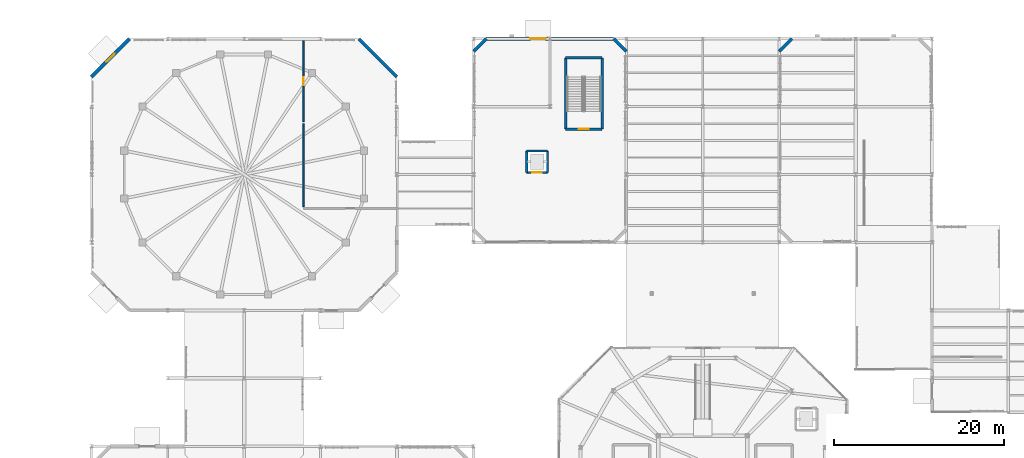
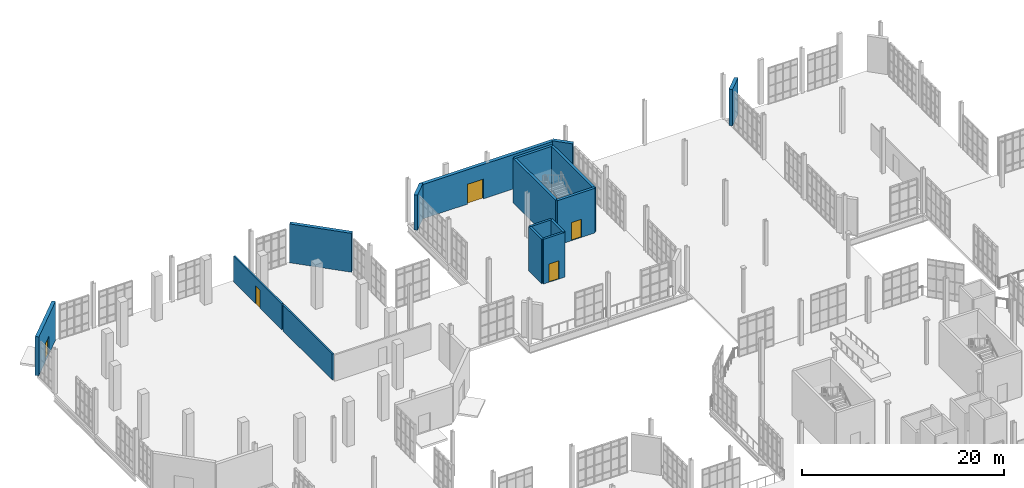
# One storey, part 175 of 189: 16 walls, 5 doors, 5 openings.
"""IFC4 building model written with IfcOpenShell, lengths in metres."""

import ifcopenshell
import ifcopenshell.guid

model = None  # the IFC model being written
_history = None  # IfcOwnerHistory: only IFC2X3 demands one
_inside = {}  # id of a spatial element -> (the spatial element, [elements in it])
_under = {}  # id of a project, library or spatial element -> (it, [spatial elements below it])
_declared = {}  # id of a project -> (the project, [libraries it declares])
_typed = {}  # id of a type object -> (the type object, [elements of that type])
_made_of = {}  # id of a material, layer set ... -> (it, [elements and type objects made of it])


def new_model(schema):
    """Start an empty IFC model of exactly this schema.

    Asked for "IFC4X3", IfcOpenShell would pick the latest addendum, in which some entities
    have other attributes; the version numbers below select the first issue.
    IFC2X3 requires an IfcOwnerHistory on every rooted entity: one is made here for all.
    """
    global model, _history
    if schema == "IFC4X3":
        model = ifcopenshell.file(schema_version=(4, 3, 0, 0))
    else:
        model = ifcopenshell.file(schema=schema)
    _inside.clear()
    _under.clear()
    _declared.clear()
    _typed.clear()
    _made_of.clear()
    _history = None
    if model.schema == "IFC2X3":
        org = make("IfcOrganization", Name="unknown")
        user = make(
            "IfcPersonAndOrganization",
            ThePerson=make("IfcPerson", FamilyName="unknown"),
            TheOrganization=org,
        )
        app = make(
            "IfcApplication",
            ApplicationDeveloper=org,
            Version="unknown",
            ApplicationFullName="unknown",
            ApplicationIdentifier="unknown",
        )
        _history = make(
            "IfcOwnerHistory",
            OwningUser=user,
            OwningApplication=app,
            ChangeAction="ADDED",
            CreationDate=0,
        )
    return model


def make(cls, **values):
    """One entity of the class cls with the attributes given. An attribute that is None is left unset."""
    return model.create_entity(
        cls, **{name: value for name, value in values.items() if value is not None}
    )


def rooted(cls, **values):
    """An entity with a GlobalId (a new one), such as an element, a storey or a relation."""
    return make(cls, GlobalId=ifcopenshell.guid.new(), OwnerHistory=_history, **values)


def si_unit(unit_type, name, prefix=None):
    """IfcSIUnit, for example si_unit("LENGTHUNIT", "METRE", prefix="MILLI")."""
    return make("IfcSIUnit", UnitType=unit_type, Prefix=prefix, Name=name)


def assignment(units):
    """IfcUnitAssignment: the units of a project."""
    return None if units is None else make("IfcUnitAssignment", Units=units)


def point(xyz):
    """IfcCartesianPoint."""
    return None if xyz is None else make("IfcCartesianPoint", Coordinates=xyz)


def direction(xyz):
    """IfcDirection."""
    return None if xyz is None else make("IfcDirection", DirectionRatios=xyz)


def frame(location, z_axis=None, x_axis=None):
    """IfcAxis2Placement3D, a coordinate frame: its origin and axes. An axis left out is left unset."""
    return make(
        "IfcAxis2Placement3D",
        Location=point(location),
        Axis=direction(z_axis),
        RefDirection=direction(x_axis),
    )


def frame_2d(location, x_axis=None):
    """IfcAxis2Placement2D, a coordinate frame in the plane: its origin and x axis."""
    return make(
        "IfcAxis2Placement2D", Location=point(location), RefDirection=direction(x_axis)
    )


def origin():
    """The frame at (0, 0, 0) with its axes left unset."""
    return frame((0.0, 0.0, 0.0))


def place(relative_to, where):
    """IfcLocalPlacement: puts the frame where relative to a parent placement (None: the world)."""
    return make(
        "IfcLocalPlacement", PlacementRelTo=relative_to, RelativePlacement=where
    )


def context(
    kind, dimensions, precision=None, world=None, true_north=None, identifier=None
):
    """IfcGeometricRepresentationContext, for example the 3D "Model" context."""
    return make(
        "IfcGeometricRepresentationContext",
        ContextIdentifier=identifier,
        ContextType=kind,
        CoordinateSpaceDimension=dimensions,
        Precision=precision,
        WorldCoordinateSystem=world,
        TrueNorth=true_north,
    )


def subcontext(parent, identifier, kind, view, scale=None):
    """IfcGeometricRepresentationSubContext, for example "Body" below "Model"."""
    return make(
        "IfcGeometricRepresentationSubContext",
        ContextIdentifier=identifier,
        ContextType=kind,
        ParentContext=parent,
        TargetScale=scale,
        TargetView=view,
    )


def project(units=None, contexts=None):
    """IfcProject with its units and contexts."""
    return rooted(
        "IfcProject",
        Name="project",
        RepresentationContexts=contexts,
        UnitsInContext=assignment(units),
    )


def spatial(cls, under=None, at=None, **own):
    """A site, building, storey or space (cls), placed at a placement, below another one or the project."""
    s = rooted(cls, ObjectPlacement=at, **own)
    if under is not None:
        _under.setdefault(under.id(), (under, []))[1].append(s)
    return s


def profile(cls, at=None, kind="AREA", **sizes):
    """A parametric profile (cls). Its sizes go by their IFC names, for example OverallWidth=200.0."""
    return make(cls, ProfileType=kind, Position=at, **sizes)


def rectangle(**sizes):
    """IfcRectangleProfileDef."""
    return profile("IfcRectangleProfileDef", **sizes)


def extrude(swept, where, along, depth):
    """IfcExtrudedAreaSolid: the profile swept, set in the frame where, extruded along a direction by depth."""
    return make(
        "IfcExtrudedAreaSolid",
        SweptArea=swept,
        Position=where,
        ExtrudedDirection=direction(along),
        Depth=depth,
    )


def shape(context_of_items, identifier, shape_type, items):
    """IfcShapeRepresentation: the items that make up one representation, for example the "Body"."""
    return make(
        "IfcShapeRepresentation",
        ContextOfItems=context_of_items,
        RepresentationIdentifier=identifier,
        RepresentationType=shape_type,
        Items=items,
    )


def material(Name=None, Category=None):
    """IfcMaterial."""
    return make("IfcMaterial", Name=Name, Category=Category)


def layer(
    of_material, thickness, ventilated=None, Name=None, Category=None, Priority=None
):
    """IfcMaterialLayer: one layer of a wall or slab, of a material (None: an air gap)."""
    return make(
        "IfcMaterialLayer",
        Material=of_material,
        LayerThickness=thickness,
        IsVentilated=ventilated,
        Name=Name,
        Category=Category,
        Priority=Priority,
    )


def layer_set(layers, Name=None):
    """IfcMaterialLayerSet."""
    return make("IfcMaterialLayerSet", MaterialLayers=layers, LayerSetName=Name)


def made_of(thing, what):
    """Note that an element or type object is made of a material, layer set ...; save() writes the relation."""
    if what is not None:
        _made_of.setdefault(what.id(), (what, []))[1].append(thing)
    return thing


def type_object(cls, material=None, **own):
    """A type object (cls), such as IfcWallType, which elements share."""
    return made_of(rooted(cls, **own), material)


def element(
    cls,
    number,
    at=None,
    inside=None,
    cuts=None,
    type_object=None,
    material=None,
    context=None,
    identifier="Body",
    shape_type=None,
    held_by="IfcProductDefinitionShape",
    body=None,
    shapes=None,
    **own,
):
    """One element of the class cls, such as IfcWall. Its Tag is "e" and its number.

    at: its placement. inside: the storey or other place that contains it. cuts: it is an
    opening in that element (IfcRelVoidsElement). A single representation is given by context,
    identifier, shape_type and body (its items); several are given by shapes. held_by: the class
    of the entity that holds the representations. save() writes the other relations.
    """
    e = rooted(cls, Tag="e%d" % number, ObjectPlacement=at, **own)
    if body is not None:
        shapes = [shape(context, identifier, shape_type, body)]
    if shapes is not None:
        e.Representation = make(held_by, Representations=shapes)
    if inside is not None:
        _inside.setdefault(inside.id(), (inside, []))[1].append(e)
    if cuts is not None:
        rooted(
            "IfcRelVoidsElement", RelatingBuildingElement=cuts, RelatedOpeningElement=e
        )
    if type_object is not None:
        _typed.setdefault(type_object.id(), (type_object, []))[1].append(e)
    return made_of(e, material)


def fill(opening, filler):
    """IfcRelFillsElement: the door or window that sits in an opening."""
    return rooted(
        "IfcRelFillsElement",
        RelatingOpeningElement=opening,
        RelatedBuildingElement=filler,
    )


def aggregate(whole, parts):
    """IfcRelAggregates: a whole, such as a stair, and the parts it consists of."""
    return rooted("IfcRelAggregates", RelatingObject=whole, RelatedObjects=parts)


def save(model, path):
    """Write the relations noted so far, then the file.

    IfcRelAggregates (storeys below a building ...), IfcRelContainedInSpatialStructure (elements
    in a storey), IfcRelDefinesByType, IfcRelAssociatesMaterial and IfcRelDeclares: one each for
    every whole, place, type object, material and project.
    """
    for whole, parts in _under.values():
        aggregate(whole, parts)
    for where, things in _inside.values():
        rooted(
            "IfcRelContainedInSpatialStructure",
            RelatedElements=things,
            RelatingStructure=where,
        )
    for kind, things in _typed.values():
        rooted("IfcRelDefinesByType", RelatedObjects=things, RelatingType=kind)
    for what, things in _made_of.values():
        rooted("IfcRelAssociatesMaterial", RelatedObjects=things, RelatingMaterial=what)
    for by, libraries in _declared.values():
        rooted("IfcRelDeclares", RelatingContext=by, RelatedDefinitions=libraries)
    model.write(path)


model = new_model("IFC4")

# Units and contexts
model_context = context("Model", 3, precision=1e-05, world=origin(), true_north=direction((0.0, 1.0)))
body_context = subcontext(model_context, "Body", "Model", "MODEL_VIEW")
ifc_project = project(units=[si_unit("LENGTHUNIT", "METRE"), si_unit("AREAUNIT", "SQUARE_METRE"), si_unit("VOLUMEUNIT", "CUBIC_METRE"), si_unit("PLANEANGLEUNIT", "RADIAN"), si_unit("MASSUNIT", "GRAM", prefix="KILO"), si_unit("THERMODYNAMICTEMPERATUREUNIT", "KELVIN"), si_unit("POWERUNIT", "WATT")], contexts=[model_context])

# Site, building, storey
site_placement = place(None, origin())
site = spatial("IfcSite", under=ifc_project, at=site_placement, CompositionType="ELEMENT")
building_placement = place(site_placement, origin())
building = spatial("IfcBuilding", under=site, at=building_placement, Name="Zelmaris Science Centre", CompositionType="ELEMENT")
storey_placement = place(building_placement, origin())
storey = spatial("IfcBuildingStorey", under=building, at=storey_placement, Name="L00", CompositionType="ELEMENT", Elevation=0.0)

# Wall, opening, door
ifc_material_1 = material(Name="Concrete C40/50", Category="concrete")
ifc_layer_1 = layer(ifc_material_1, 0.300048828125, Name="Concrete C40/50")
ifc_layer_set_1 = layer_set([ifc_layer_1], Name="Concrete C40/50")
wall_type_1 = type_object("IfcWallType", Name="Core Shear Wall CW-S1 300mm", PredefinedType="SOLIDWALL", material=ifc_layer_set_1)
wall_1_placement = place(storey_placement, frame((69.14990234375, 77.35009765625, 0.0), z_axis=(0.0, 0.0, 1.0), x_axis=(-1.0, 0.0, 0.0)))
wall_1 = element("IfcWall", 1, at=wall_1_placement, inside=storey, type_object=wall_type_1, Name="L00 ST-3 core shear wall near", PredefinedType="SOLIDWALL", context=body_context, shape_type="SweptSolid", body=[
    extrude(rectangle(XDim=4.2998046875, YDim=0.300048828125, at=frame_2d((2.14990234375, 0.0))), origin(), (0.0, 0.0, 1.0), 5.39990234375),
])
opening_1_placement = place(wall_1_placement, frame((1.574951171875, 0.0, 0.0)))
opening_1 = element("IfcOpeningElement", 2, at=opening_1_placement, cuts=wall_1, Name="Opening D-FD90", PredefinedType="OPENING", context=body_context, shape_type="SweptSolid", body=[
    extrude(rectangle(XDim=1.14990234375, YDim=2.199951171875, at=frame_2d((0.574951171875, 1.10009765625))), frame((0.0, 0.159912109375, 0.0), z_axis=(0.0, -1.0, 0.0), x_axis=(1.0, 0.0, 0.0)), (0.0, 0.0, 1.0), 0.320068359375),
])
ifc_material_2 = material(Name="Steel ASTM A36", Category="steel")
door_type_1 = type_object("IfcDoorType", Name="Interior Door D-FD90 1150x2200", OperationType="NOTDEFINED", PredefinedType="DOOR", material=ifc_material_2)
door_1_placement = place(opening_1_placement, origin())
door_1 = element("IfcDoor", 3, at=door_1_placement, inside=storey, type_object=door_type_1, Name="L00 ST-3 exit stair fire door", OperationType="SINGLE_SWING_RIGHT", OverallHeight=2.199951171875, OverallWidth=1.14990234375, PredefinedType="DOOR", context=body_context, shape_type="SweptSolid", body=[
    extrude(rectangle(XDim=1.14990234375, YDim=2.199951171875, at=frame_2d((0.574951171875, 1.10009765625))), frame((0.0, 0.02490234375, 0.0), z_axis=(0.0, -1.0, 0.0), x_axis=(1.0, 0.0, 0.0)), (0.0, 0.0, 1.0), 0.050048828125),
])
fill(opening_1, door_1)

# Walls
wall_2_placement = place(storey_placement, frame((69.14990234375, 77.35009765625, 0.0), z_axis=(0.0, 0.0, 1.0), x_axis=(0.0, 1.0, 0.0)))
element("IfcWall", 4, at=wall_2_placement, inside=storey, type_object=wall_type_1, Name="L00 ST-3 core shear wall east", PredefinedType="SOLIDWALL", context=body_context, shape_type="SweptSolid", body=[
    extrude(rectangle(XDim=8.39990234375, YDim=0.300048828125, at=frame_2d((4.199951171875, 0.0))), origin(), (0.0, 0.0, 1.0), 5.39990234375),
])
wall_3_placement = place(storey_placement, frame((69.14990234375, 85.75, 0.0), z_axis=(0.0, 0.0, 1.0), x_axis=(-1.0, 0.0, 0.0)))
element("IfcWall", 5, at=wall_3_placement, inside=storey, type_object=wall_type_1, Name="L00 ST-3 core shear wall far", PredefinedType="SOLIDWALL", context=body_context, shape_type="SweptSolid", body=[
    extrude(rectangle(XDim=4.2998046875, YDim=0.300048828125, at=frame_2d((2.14990234375, 0.0))), origin(), (0.0, 0.0, 1.0), 5.39990234375),
])
wall_4_placement = place(storey_placement, frame((64.85009765625, 77.35009765625, 0.0), z_axis=(0.0, 0.0, 1.0), x_axis=(0.0, 1.0, 0.0)))
element("IfcWall", 6, at=wall_4_placement, inside=storey, type_object=wall_type_1, Name="L00 ST-3 core shear wall west", PredefinedType="SOLIDWALL", context=body_context, shape_type="SweptSolid", body=[
    extrude(rectangle(XDim=8.39990234375, YDim=0.300048828125, at=frame_2d((4.199951171875, 0.0))), origin(), (0.0, 0.0, 1.0), 5.39990234375),
])

# Wall, opening, door
ifc_layer_2 = layer(ifc_material_1, 0.25, Name="Concrete C40/50")
ifc_layer_set_2 = layer_set([ifc_layer_2], Name="Concrete C40/50")
wall_type_2 = type_object("IfcWallType", Name="Core Shear Wall CW-S2 250mm", PredefinedType="SOLIDWALL", material=ifc_layer_set_2)
wall_5_placement = place(storey_placement, frame((60.27490234375, 72.22509765625, 0.0), z_axis=(0.0, 0.0, 1.0), x_axis=(1.0, 0.0, 0.0)))
wall_5 = element("IfcWall", 7, at=wall_5_placement, inside=storey, type_object=wall_type_2, Name="L00 LP-03 lift shaft wall -y", PredefinedType="SOLIDWALL", context=body_context, shape_type="SweptSolid", body=[
    extrude(rectangle(XDim=2.4501953125, YDim=0.25, at=frame_2d((1.22509765625, 0.0))), origin(), (0.0, 0.0, 1.0), 5.39990234375),
])
opening_2_placement = place(wall_5_placement, frame((0.675048828125, 0.0, 0.0)))
opening_2 = element("IfcOpeningElement", 8, at=opening_2_placement, cuts=wall_5, Name="Opening LD-01", PredefinedType="OPENING", context=body_context, shape_type="SweptSolid", body=[
    extrude(rectangle(XDim=1.10009765625, YDim=2.199951171875, at=frame_2d((0.550048828125, 1.10009765625))), frame((0.0, 0.135009765625, 0.0), z_axis=(0.0, -1.0, 0.0), x_axis=(1.0, 0.0, 0.0)), (0.0, 0.0, 1.0), 0.27001953125),
])
door_type_2 = type_object("IfcDoorType", Name="Interior Door LD-01 1100x2200", OperationType="SLIDING_TO_LEFT", PredefinedType="DOOR", material=ifc_material_2)
door_2_placement = place(opening_2_placement, origin())
door_2 = element("IfcDoor", 9, at=door_2_placement, inside=storey, type_object=door_type_2, Name="Landing door LD-LP-03-L00", OperationType="SLIDING_TO_LEFT", OverallHeight=2.199951171875, OverallWidth=1.10009765625, PredefinedType="DOOR", context=body_context, shape_type="SweptSolid", body=[
    extrude(rectangle(XDim=1.10009765625, YDim=2.199951171875, at=frame_2d((0.550048828125, 1.10009765625))), frame((0.0, 0.02490234375, 0.0), z_axis=(0.0, -1.0, 0.0), x_axis=(1.0, 0.0, 0.0)), (0.0, 0.0, 1.0), 0.050048828125),
])
fill(opening_2, door_2)

# Walls
wall_6_placement = place(storey_placement, frame((62.72509765625, 72.22509765625, 0.0), z_axis=(0.0, 0.0, 1.0), x_axis=(0.0, 1.0, 0.0)))
element("IfcWall", 10, at=wall_6_placement, inside=storey, type_object=wall_type_2, Name="L00 LP-03 lift shaft wall +x", PredefinedType="SOLIDWALL", context=body_context, shape_type="SweptSolid", body=[
    extrude(rectangle(XDim=2.5498046875, YDim=0.25, at=frame_2d((1.27490234375, 0.0))), origin(), (0.0, 0.0, 1.0), 5.39990234375),
])
wall_7_placement = place(storey_placement, frame((62.72509765625, 74.77490234375, 0.0), z_axis=(0.0, 0.0, 1.0), x_axis=(-1.0, 0.0, 0.0)))
element("IfcWall", 11, at=wall_7_placement, inside=storey, type_object=wall_type_2, Name="L00 LP-03 lift shaft wall +y", PredefinedType="SOLIDWALL", context=body_context, shape_type="SweptSolid", body=[
    extrude(rectangle(XDim=2.4501953125, YDim=0.25, at=frame_2d((1.22509765625, 0.0))), origin(), (0.0, 0.0, 1.0), 5.39990234375),
])
wall_8_placement = place(storey_placement, frame((60.27490234375, 74.77490234375, 0.0), z_axis=(0.0, 0.0, 1.0), x_axis=(0.0, -1.0, 0.0)))
element("IfcWall", 12, at=wall_8_placement, inside=storey, type_object=wall_type_2, Name="L00 LP-03 lift shaft wall -x", PredefinedType="SOLIDWALL", context=body_context, shape_type="SweptSolid", body=[
    extrude(rectangle(XDim=2.5498046875, YDim=0.25, at=frame_2d((1.27490234375, 0.0))), origin(), (0.0, 0.0, 1.0), 5.39990234375),
])

# Wall, opening, door
ifc_material_3 = material(Name="Yucatan limestone ashlar masonry", Category="masonry")
ifc_layer_3 = layer(ifc_material_3, 0.3798828125, Name="Yucatan limestone ashlar masonry")
ifc_layer_set_3 = layer_set([ifc_layer_3], Name="Yucatan limestone ashlar masonry")
wall_type_3 = type_object("IfcWallType", Name="Exterior Wall EW-01 380mm", PredefinedType="SOLIDWALL", material=ifc_layer_set_3)
wall_9_placement = place(storey_placement, frame((9.0, 83.5, 0.0), z_axis=(0.0, 0.0, 1.0), x_axis=(0.707106781187, 0.707106781187, 0.0)))
wall_9 = element("IfcWall", 13, at=wall_9_placement, inside=storey, type_object=wall_type_3, Name="L00 Exterior wall 5", PredefinedType="SOLIDWALL", context=body_context, shape_type="SweptSolid", body=[
    extrude(rectangle(XDim=6.364013671875, YDim=0.3798828125, at=frame_2d((3.18212890625, 0.0))), origin(), (0.0, 0.0, 1.0), 4.699951171875),
])
opening_3_placement = place(wall_9_placement, frame((2.507080078125, 0.0, 0.0)))
opening_3 = element("IfcOpeningElement", 14, at=opening_3_placement, cuts=wall_9, Name="Opening D-EX5", PredefinedType="OPENING", context=body_context, shape_type="SweptSolid", body=[
    extrude(rectangle(XDim=1.35009765625, YDim=2.199951171875, at=frame_2d((0.675048828125, 1.10009765625))), frame((0.0, 0.199951171875, 0.0), z_axis=(0.0, -1.0, 0.0), x_axis=(1.0, 0.0, 0.0)), (0.0, 0.0, 1.0), 0.39990234375),
])
door_type_3 = type_object("IfcDoorType", Name="Exterior Door D-EX5 1350x2200", OperationType="NOTDEFINED", PredefinedType="DOOR", material=ifc_material_2)
door_3_placement = place(opening_3_placement, origin())
door_3 = element("IfcDoor", 15, at=door_3_placement, inside=storey, type_object=door_type_3, Name="Main entrance exit E03", OperationType="SINGLE_SWING_LEFT", OverallHeight=2.199951171875, OverallWidth=1.35009765625, PredefinedType="DOOR", context=body_context, shape_type="SweptSolid", body=[
    extrude(rectangle(XDim=1.35009765625, YDim=2.199951171875, at=frame_2d((0.675048828125, 1.10009765625))), frame((0.0, 0.02490234375, 0.0), z_axis=(0.0, -1.0, 0.0), x_axis=(1.0, 0.0, 0.0)), (0.0, 0.0, 1.0), 0.050048828125),
])
fill(opening_3, door_3)

# Walls
wall_10_placement = place(storey_placement, frame((40.5, 88.0, 0.0), z_axis=(0.0, 0.0, 1.0), x_axis=(0.707106781187, -0.707106781187, 0.0)))
element("IfcWall", 16, at=wall_10_placement, inside=storey, type_object=wall_type_3, Name="L00 Exterior wall 6", PredefinedType="SOLIDWALL", context=body_context, shape_type="SweptSolid", body=[
    extrude(rectangle(XDim=6.364013671875, YDim=0.3798828125, at=frame_2d((3.18212890625, 0.0))), origin(), (0.0, 0.0, 1.0), 4.699951171875),
])
wall_11_placement = place(storey_placement, frame((54.0, 86.5, 0.0), z_axis=(0.0, 0.0, 1.0), x_axis=(0.707106781187, 0.707106781187, 0.0)))
element("IfcWall", 17, at=wall_11_placement, inside=storey, type_object=wall_type_3, Name="L00 Exterior wall 7", PredefinedType="SOLIDWALL", context=body_context, shape_type="SweptSolid", body=[
    extrude(rectangle(XDim=2.121337890625, YDim=0.3798828125, at=frame_2d((1.060546875, 0.0))), origin(), (0.0, 0.0, 1.0), 4.243896484375),
])

# Wall, opening, door
wall_12_placement = place(storey_placement, frame((55.5, 88.0, 0.0), z_axis=(0.0, 0.0, 1.0), x_axis=(1.0, 0.0, 0.0)))
wall_12 = element("IfcWall", 18, at=wall_12_placement, inside=storey, type_object=wall_type_3, Name="L00 Exterior wall 8", PredefinedType="SOLIDWALL", context=body_context, shape_type="SweptSolid", body=[
    extrude(rectangle(XDim=15.0, YDim=0.3798828125, at=frame_2d((7.5, 0.0))), origin(), (0.0, 0.0, 1.0), 4.157958984375),
])
opening_4_placement = place(wall_12_placement, frame((5.199951171875, 0.0, 0.0)))
opening_4 = element("IfcOpeningElement", 19, at=opening_4_placement, cuts=wall_12, Name="Opening D-EX1", PredefinedType="OPENING", context=body_context, shape_type="SweptSolid", body=[
    extrude(rectangle(XDim=1.800048828125, YDim=2.39990234375, at=frame_2d((0.89990234375, 1.199951171875))), frame((0.0, 0.199951171875, 0.0), z_axis=(0.0, -1.0, 0.0), x_axis=(1.0, 0.0, 0.0)), (0.0, 0.0, 1.0), 0.39990234375),
])
ifc_material_4 = material(Name="Architectural bronze alloy C28000")
door_type_4 = type_object("IfcDoorType", Name="Exterior Door D-EX1 1800x2400", OperationType="NOTDEFINED", PredefinedType="DOOR", material=ifc_material_4)
door_4_placement = place(opening_4_placement, origin())
door_4 = element("IfcDoor", 20, at=door_4_placement, inside=storey, type_object=door_type_4, Name="Main entrance exit E04", OperationType="SINGLE_SWING_RIGHT", OverallHeight=2.39990234375, OverallWidth=1.800048828125, PredefinedType="DOOR", context=body_context, shape_type="SweptSolid", body=[
    extrude(rectangle(XDim=1.800048828125, YDim=2.39990234375, at=frame_2d((0.89990234375, 1.199951171875))), frame((0.0, 0.02490234375, 0.0), z_axis=(0.0, -1.0, 0.0), x_axis=(1.0, 0.0, 0.0)), (0.0, 0.0, 1.0), 0.050048828125),
])
fill(opening_4, door_4)

# Walls
wall_13_placement = place(storey_placement, frame((70.5, 88.0, 0.0), z_axis=(0.0, 0.0, 1.0), x_axis=(0.707106781187, -0.707106781187, 0.0)))
element("IfcWall", 21, at=wall_13_placement, inside=storey, type_object=wall_type_3, Name="L00 Exterior wall 9", PredefinedType="SOLIDWALL", context=body_context, shape_type="SweptSolid", body=[
    extrude(rectangle(XDim=2.121337890625, YDim=0.3798828125, at=frame_2d((1.060546875, 0.0))), origin(), (0.0, 0.0, 1.0), 4.243896484375),
])
wall_14_placement = place(storey_placement, frame((90.0, 86.5, 0.0), z_axis=(0.0, 0.0, 1.0), x_axis=(0.707106781187, 0.707106781187, 0.0)))
element("IfcWall", 22, at=wall_14_placement, inside=storey, type_object=wall_type_3, Name="L00 Exterior wall 19", PredefinedType="SOLIDWALL", context=body_context, shape_type="SweptSolid", body=[
    extrude(rectangle(XDim=2.121337890625, YDim=0.3798828125, at=frame_2d((1.060546875, 0.0))), origin(), (0.0, 0.0, 1.0), 4.402099609375),
])
ifc_material_5 = material(Name="Autoclaved aerated concrete blockwork", Category="masonry")
ifc_layer_4 = layer(ifc_material_5, 0.179931640625, Name="Autoclaved aerated concrete blockwork")
ifc_layer_set_4 = layer_set([ifc_layer_4], Name="Autoclaved aerated concrete blockwork")
wall_type_4 = type_object("IfcWallType", Name="Interior Wall PT-04 180mm", PredefinedType="PARTITIONING", material=ifc_layer_set_4)
wall_15_placement = place(storey_placement, frame((34.0048828125, 68.22509765625, 0.0), z_axis=(0.0, 0.0, 1.0), x_axis=(0.0, 1.0, 0.0)))
element("IfcWall", 23, at=wall_15_placement, inside=storey, type_object=wall_type_4, Name="L00 Planetarium Public WC partition 27", PredefinedType="PARTITIONING", context=body_context, shape_type="SweptSolid", body=[
    extrude(rectangle(XDim=9.77490234375, YDim=0.179931640625, at=frame_2d((4.887451171875, 0.0))), origin(), (0.0, 0.0, 1.0), 3.14990234375),
])

# Wall, opening, door
wall_16_placement = place(storey_placement, frame((34.0048828125, 78.219970703125, 0.0), z_axis=(0.0, 0.0, 1.0), x_axis=(0.0, 1.0, 0.0)))
wall_16 = element("IfcWall", 24, at=wall_16_placement, inside=storey, type_object=wall_type_4, Name="L00 Planetarium Accessible WC partition 28", PredefinedType="PARTITIONING", context=body_context, shape_type="SweptSolid", body=[
    extrude(rectangle(XDim=9.530029296875, YDim=0.179931640625, at=frame_2d((4.76513671875, 0.0))), origin(), (0.0, 0.0, 1.0), 3.14990234375),
])
opening_5_placement = place(wall_16_placement, frame((4.2900390625, 0.0, 0.0)))
opening_5 = element("IfcOpeningElement", 25, at=opening_5_placement, cuts=wall_16, Name="Opening D-IN2", PredefinedType="OPENING", context=body_context, shape_type="SweptSolid", body=[
    extrude(rectangle(XDim=0.949951171875, YDim=2.14990234375, at=frame_2d((0.47509765625, 1.074951171875))), frame((0.0, 0.099853515625, 0.0), z_axis=(0.0, -1.0, 0.0), x_axis=(1.0, 0.0, 0.0)), (0.0, 0.0, 1.0), 0.199951171875),
])
ifc_material_6 = material(Name="Solid tropical tzalam hardwood", Category="wood")
door_type_5 = type_object("IfcDoorType", Name="Interior Door D-IN2 950x2150", OperationType="NOTDEFINED", PredefinedType="DOOR", material=ifc_material_6)
door_5_placement = place(opening_5_placement, origin())
door_5 = element("IfcDoor", 26, at=door_5_placement, inside=storey, type_object=door_type_5, Name="L00 Planetarium Accessible WC door", OperationType="SINGLE_SWING_LEFT", OverallHeight=2.14990234375, OverallWidth=0.949951171875, PredefinedType="DOOR", context=body_context, shape_type="SweptSolid", body=[
    extrude(rectangle(XDim=0.949951171875, YDim=2.14990234375, at=frame_2d((0.47509765625, 1.074951171875))), frame((0.0, 0.02490234375, 0.0), z_axis=(0.0, -1.0, 0.0), x_axis=(1.0, 0.0, 0.0)), (0.0, 0.0, 1.0), 0.050048828125),
])
fill(opening_5, door_5)

save(model, "model.ifc")
